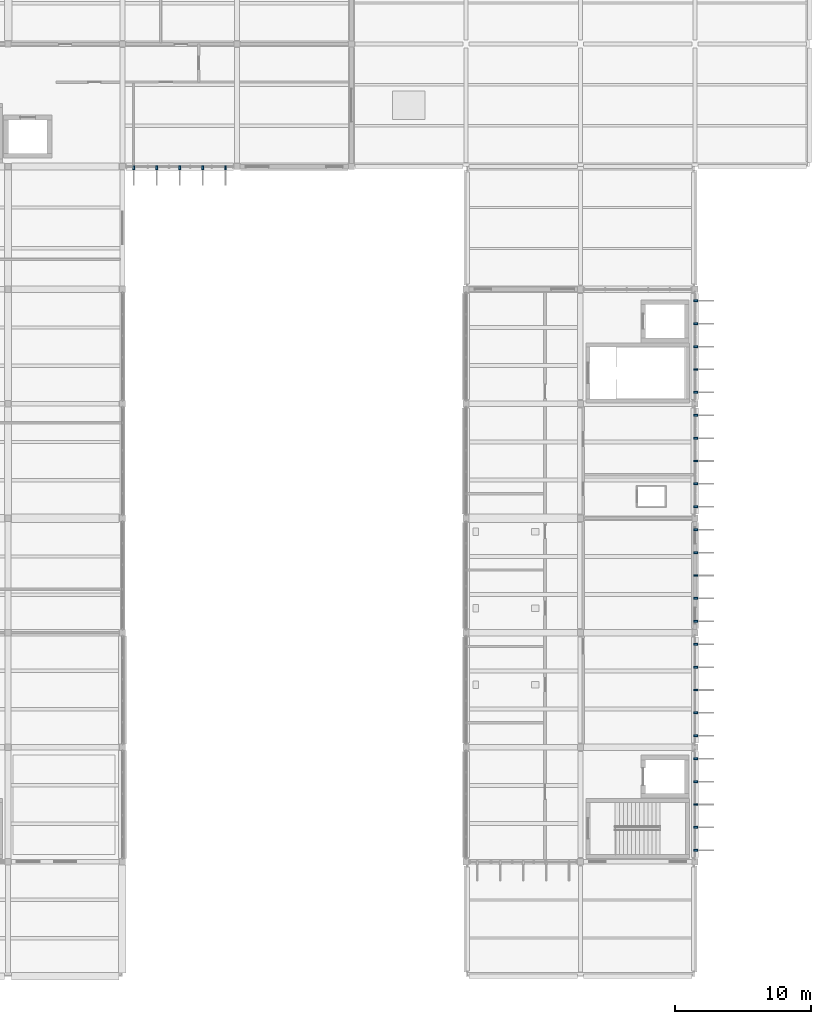
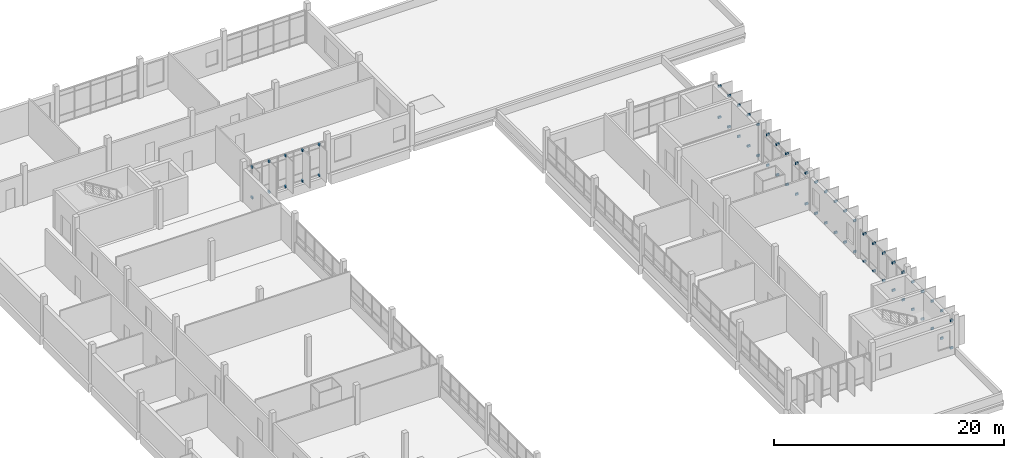
# One storey, part 57 of 62: 60 discrete accessories.
"""IFC4 building model written with IfcOpenShell, lengths in metres."""

from ifc_helpers import new_model, si_unit, direction, frame, origin, origin_2d, place, context, subcontext, project, spatial, rectangle, extrude, material, type_object, element, save


model = new_model("IFC4")

# Units and contexts
model_context = context("Model", 3, precision=1e-05, world=origin(), true_north=direction((0.0, 1.0)))
body_context = subcontext(model_context, "Body", "Model", "MODEL_VIEW")
ifc_project = project(units=[si_unit("LENGTHUNIT", "METRE"), si_unit("AREAUNIT", "SQUARE_METRE"), si_unit("VOLUMEUNIT", "CUBIC_METRE"), si_unit("PLANEANGLEUNIT", "RADIAN"), si_unit("MASSUNIT", "GRAM", prefix="KILO")], contexts=[model_context])

# Site, building, storey
site_placement = place(None, origin())
site = spatial("IfcSite", under=ifc_project, at=site_placement, CompositionType="ELEMENT")
building_placement = place(site_placement, origin())
building = spatial("IfcBuilding", under=site, at=building_placement, Name="Vireocrest Preparatory School", CompositionType="ELEMENT")
storey_placement = place(building_placement, frame((0.0, 0.0, 17.39990234375)))
storey = spatial("IfcBuildingStorey", under=building, at=storey_placement, Name="L04", CompositionType="ELEMENT", Elevation=17.39990234375)

# Discrete accessories
ifc_material = material(Name="Structural steel ASTM A572 Grade 50", Category="steel")
discrete_accessory_type = type_object("IfcDiscreteAccessoryType", Name="Slab-Edge Steel Outrigger Fin Bracket", PredefinedType="BRACKET", material=ifc_material)
for number, where, z_axis, x_axis, name in (
    (1, (68.0400390625, 94.72998046875, -0.08984375), (0.0, 0.0, 1.0), (-1.0, 0.0, 0.0), "Solar Fin Outrigger Bracket BK1 L04-52-1-BOT"),
    (2, (68.0400390625, 94.72998046875, 3.16015625), (0.0, 0.0, 1.0), (-1.0, 0.0, 0.0), "Solar Fin Outrigger Bracket BK1 L04-52-1-TOP"),
    (3, (69.719970703125, 94.72998046875, -0.08984375), (0.0, 0.0, 1.0), (-1.0, 0.0, 0.0), "Solar Fin Outrigger Bracket BK1 L04-52-2-BOT"),
    (4, (69.719970703125, 94.72998046875, 3.16015625), (0.0, 0.0, 1.0), (-1.0, 0.0, 0.0), "Solar Fin Outrigger Bracket BK1 L04-52-2-TOP"),
    (5, (71.39990234375, 94.72998046875, -0.08984375), (0.0, 0.0, 1.0), (-1.0, 0.0, 0.0), "Solar Fin Outrigger Bracket BK1 L04-52-3-BOT"),
    (6, (71.39990234375, 94.72998046875, 3.16015625), (0.0, 0.0, 1.0), (-1.0, 0.0, 0.0), "Solar Fin Outrigger Bracket BK1 L04-52-3-TOP"),
    (7, (73.080078125, 94.72998046875, -0.08984375), (0.0, 0.0, 1.0), (-1.0, 0.0, 0.0), "Solar Fin Outrigger Bracket BK1 L04-52-4-BOT"),
    (8, (73.080078125, 94.72998046875, 3.16015625), (0.0, 0.0, 1.0), (-1.0, 0.0, 0.0), "Solar Fin Outrigger Bracket BK1 L04-52-4-TOP"),
    (9, (74.760009765625, 94.72998046875, -0.08984375), (0.0, 0.0, 1.0), (-1.0, 0.0, 0.0), "Solar Fin Outrigger Bracket BK1 L04-52-5-BOT"),
    (10, (74.760009765625, 94.72998046875, 3.16015625), (0.0, 0.0, 1.0), (-1.0, 0.0, 0.0), "Solar Fin Outrigger Bracket BK1 L04-52-5-TOP"),
    (11, (109.27001953125, 44.639892578125, -0.08984375), (0.0, 0.0, 1.0), (0.0, -1.0, 0.0), "Solar Fin Outrigger Bracket BK1 L04-57-1-BOT"),
    (12, (109.27001953125, 44.639892578125, 2.8203125), (0.0, 0.0, 1.0), (0.0, -1.0, 0.0), "Solar Fin Outrigger Bracket BK1 L04-57-1-TOP"),
    (13, (109.27001953125, 46.320068359375, -0.08984375), (0.0, 0.0, 1.0), (0.0, -1.0, 0.0), "Solar Fin Outrigger Bracket BK1 L04-57-2-BOT"),
    (14, (109.27001953125, 46.320068359375, 2.8203125), (0.0, 0.0, 1.0), (0.0, -1.0, 0.0), "Solar Fin Outrigger Bracket BK1 L04-57-2-TOP"),
    (15, (109.27001953125, 48.0, -0.08984375), (0.0, 0.0, 1.0), (0.0, -1.0, 0.0), "Solar Fin Outrigger Bracket BK1 L04-57-3-BOT"),
    (16, (109.27001953125, 48.0, 2.8203125), (0.0, 0.0, 1.0), (0.0, -1.0, 0.0), "Solar Fin Outrigger Bracket BK1 L04-57-3-TOP"),
    (17, (109.27001953125, 49.679931640625, -0.08984375), (0.0, 0.0, 1.0), (0.0, -1.0, 0.0), "Solar Fin Outrigger Bracket BK1 L04-57-4-BOT"),
    (18, (109.27001953125, 49.679931640625, 2.8203125), (0.0, 0.0, 1.0), (0.0, -1.0, 0.0), "Solar Fin Outrigger Bracket BK1 L04-57-4-TOP"),
    (19, (109.27001953125, 51.360107421875, -0.08984375), (0.0, 0.0, 1.0), (0.0, -1.0, 0.0), "Solar Fin Outrigger Bracket BK1 L04-57-5-BOT"),
    (20, (109.27001953125, 51.360107421875, 2.8203125), (0.0, 0.0, 1.0), (0.0, -1.0, 0.0), "Solar Fin Outrigger Bracket BK1 L04-57-5-TOP"),
    (21, (109.27001953125, 53.0400390625, -0.08984375), (0.0, 0.0, 1.0), (0.0, -1.0, 0.0), "Solar Fin Outrigger Bracket BK1 L04-58-1-BOT"),
    (22, (109.27001953125, 53.0400390625, 2.8203125), (0.0, 0.0, 1.0), (0.0, -1.0, 0.0), "Solar Fin Outrigger Bracket BK1 L04-58-1-TOP"),
    (23, (109.27001953125, 54.719970703125, -0.08984375), (0.0, 0.0, 1.0), (0.0, -1.0, 0.0), "Solar Fin Outrigger Bracket BK1 L04-58-2-BOT"),
    (24, (109.27001953125, 54.719970703125, 2.8203125), (0.0, 0.0, 1.0), (0.0, -1.0, 0.0), "Solar Fin Outrigger Bracket BK1 L04-58-2-TOP"),
    (25, (109.27001953125, 56.39990234375, -0.08984375), (0.0, 0.0, 1.0), (0.0, -1.0, 0.0), "Solar Fin Outrigger Bracket BK1 L04-58-3-BOT"),
    (26, (109.27001953125, 56.39990234375, 2.8203125), (0.0, 0.0, 1.0), (0.0, -1.0, 0.0), "Solar Fin Outrigger Bracket BK1 L04-58-3-TOP"),
    (27, (109.27001953125, 58.080078125, -0.08984375), (0.0, 0.0, 1.0), (0.0, -1.0, 0.0), "Solar Fin Outrigger Bracket BK1 L04-58-4-BOT"),
    (28, (109.27001953125, 58.080078125, 2.8203125), (0.0, 0.0, 1.0), (0.0, -1.0, 0.0), "Solar Fin Outrigger Bracket BK1 L04-58-4-TOP"),
    (29, (109.27001953125, 59.760009765625, -0.08984375), (0.0, 0.0, 1.0), (0.0, -1.0, 0.0), "Solar Fin Outrigger Bracket BK1 L04-58-5-BOT"),
    (30, (109.27001953125, 59.760009765625, 2.8203125), (0.0, 0.0, 1.0), (0.0, -1.0, 0.0), "Solar Fin Outrigger Bracket BK1 L04-58-5-TOP"),
    (31, (109.27001953125, 61.43994140625, -0.08984375), (0.0, 0.0, 1.0), (0.0, -1.0, 0.0), "Solar Fin Outrigger Bracket BK1 L04-59-1-BOT"),
    (32, (109.27001953125, 61.43994140625, 3.2099609375), (0.0, 0.0, 1.0), (0.0, -1.0, 0.0), "Solar Fin Outrigger Bracket BK1 L04-59-1-TOP"),
    (33, (109.27001953125, 63.1201171875, -0.08984375), (0.0, 0.0, 1.0), (0.0, -1.0, 0.0), "Solar Fin Outrigger Bracket BK1 L04-59-2-BOT"),
    (34, (109.27001953125, 63.1201171875, 3.2099609375), (0.0, 0.0, 1.0), (0.0, -1.0, 0.0), "Solar Fin Outrigger Bracket BK1 L04-59-2-TOP"),
    (35, (109.27001953125, 64.800048828125, -0.08984375), (0.0, 0.0, 1.0), (0.0, -1.0, 0.0), "Solar Fin Outrigger Bracket BK1 L04-59-3-BOT"),
    (36, (109.27001953125, 64.800048828125, 3.2099609375), (0.0, 0.0, 1.0), (0.0, -1.0, 0.0), "Solar Fin Outrigger Bracket BK1 L04-59-3-TOP"),
    (37, (109.27001953125, 66.47998046875, -0.08984375), (0.0, 0.0, 1.0), (0.0, -1.0, 0.0), "Solar Fin Outrigger Bracket BK1 L04-59-4-BOT"),
    (38, (109.27001953125, 66.47998046875, 3.2099609375), (0.0, 0.0, 1.0), (0.0, -1.0, 0.0), "Solar Fin Outrigger Bracket BK1 L04-59-4-TOP"),
    (39, (109.27001953125, 68.159912109375, -0.08984375), (0.0, 0.0, 1.0), (0.0, -1.0, 0.0), "Solar Fin Outrigger Bracket BK1 L04-59-5-BOT"),
    (40, (109.27001953125, 68.159912109375, 3.2099609375), (0.0, 0.0, 1.0), (0.0, -1.0, 0.0), "Solar Fin Outrigger Bracket BK1 L04-59-5-TOP"),
    (41, (109.27001953125, 69.840087890625, -0.08984375), (0.0, 0.0, 1.0), (0.0, -1.0, 0.0), "Solar Fin Outrigger Bracket BK1 L04-60-1-BOT"),
    (42, (109.27001953125, 69.840087890625, 3.16015625), (0.0, 0.0, 1.0), (0.0, -1.0, 0.0), "Solar Fin Outrigger Bracket BK1 L04-60-1-TOP"),
    (43, (109.27001953125, 71.52001953125, -0.08984375), (0.0, 0.0, 1.0), (0.0, -1.0, 0.0), "Solar Fin Outrigger Bracket BK1 L04-60-2-BOT"),
    (44, (109.27001953125, 71.52001953125, 3.16015625), (0.0, 0.0, 1.0), (0.0, -1.0, 0.0), "Solar Fin Outrigger Bracket BK1 L04-60-2-TOP"),
    (45, (109.27001953125, 73.199951171875, -0.08984375), (0.0, 0.0, 1.0), (0.0, -1.0, 0.0), "Solar Fin Outrigger Bracket BK1 L04-60-3-BOT"),
    (46, (109.27001953125, 73.199951171875, 3.16015625), (0.0, 0.0, 1.0), (0.0, -1.0, 0.0), "Solar Fin Outrigger Bracket BK1 L04-60-3-TOP"),
    (47, (109.27001953125, 74.8798828125, -0.08984375), (0.0, 0.0, 1.0), (0.0, -1.0, 0.0), "Solar Fin Outrigger Bracket BK1 L04-60-4-BOT"),
    (48, (109.27001953125, 74.8798828125, 3.16015625), (0.0, 0.0, 1.0), (0.0, -1.0, 0.0), "Solar Fin Outrigger Bracket BK1 L04-60-4-TOP"),
    (49, (109.27001953125, 76.56005859375, -0.08984375), (0.0, 0.0, 1.0), (0.0, -1.0, 0.0), "Solar Fin Outrigger Bracket BK1 L04-60-5-BOT"),
    (50, (109.27001953125, 76.56005859375, 3.16015625), (0.0, 0.0, 1.0), (0.0, -1.0, 0.0), "Solar Fin Outrigger Bracket BK1 L04-60-5-TOP"),
    (51, (109.27001953125, 78.239990234375, -0.08984375), (0.0, 0.0, 1.0), (0.0, -1.0, 0.0), "Solar Fin Outrigger Bracket BK1 L04-61-1-BOT"),
    (52, (109.27001953125, 78.239990234375, 3.2099609375), (0.0, 0.0, 1.0), (0.0, -1.0, 0.0), "Solar Fin Outrigger Bracket BK1 L04-61-1-TOP"),
    (53, (109.27001953125, 79.919921875, -0.08984375), (0.0, 0.0, 1.0), (0.0, -1.0, 0.0), "Solar Fin Outrigger Bracket BK1 L04-61-2-BOT"),
    (54, (109.27001953125, 79.919921875, 3.2099609375), (0.0, 0.0, 1.0), (0.0, -1.0, 0.0), "Solar Fin Outrigger Bracket BK1 L04-61-2-TOP"),
    (55, (109.27001953125, 81.60009765625, -0.08984375), (0.0, 0.0, 1.0), (0.0, -1.0, 0.0), "Solar Fin Outrigger Bracket BK1 L04-61-3-BOT"),
    (56, (109.27001953125, 81.60009765625, 3.2099609375), (0.0, 0.0, 1.0), (0.0, -1.0, 0.0), "Solar Fin Outrigger Bracket BK1 L04-61-3-TOP"),
    (57, (109.27001953125, 83.280029296875, -0.08984375), (0.0, 0.0, 1.0), (0.0, -1.0, 0.0), "Solar Fin Outrigger Bracket BK1 L04-61-4-BOT"),
    (58, (109.27001953125, 83.280029296875, 3.2099609375), (0.0, 0.0, 1.0), (0.0, -1.0, 0.0), "Solar Fin Outrigger Bracket BK1 L04-61-4-TOP"),
    (59, (109.27001953125, 84.9599609375, -0.08984375), (0.0, 0.0, 1.0), (0.0, -1.0, 0.0), "Solar Fin Outrigger Bracket BK1 L04-61-5-BOT"),
    (60, (109.27001953125, 84.9599609375, 3.2099609375), (0.0, 0.0, 1.0), (0.0, -1.0, 0.0), "Solar Fin Outrigger Bracket BK1 L04-61-5-TOP"),
):
    element("IfcDiscreteAccessory", number, at=place(storey_placement, frame(where, z_axis=z_axis, x_axis=x_axis)), inside=storey, type_object=discrete_accessory_type, Name=name, PredefinedType="BRACKET", context=body_context, shape_type="SweptSolid", body=[
        extrude(rectangle(XDim=0.139892578125, YDim=0.300048828125, at=origin_2d()), origin(), (0.0, 0.0, 1.0), 0.219970703125),
    ])

save(model, "model.ifc")
